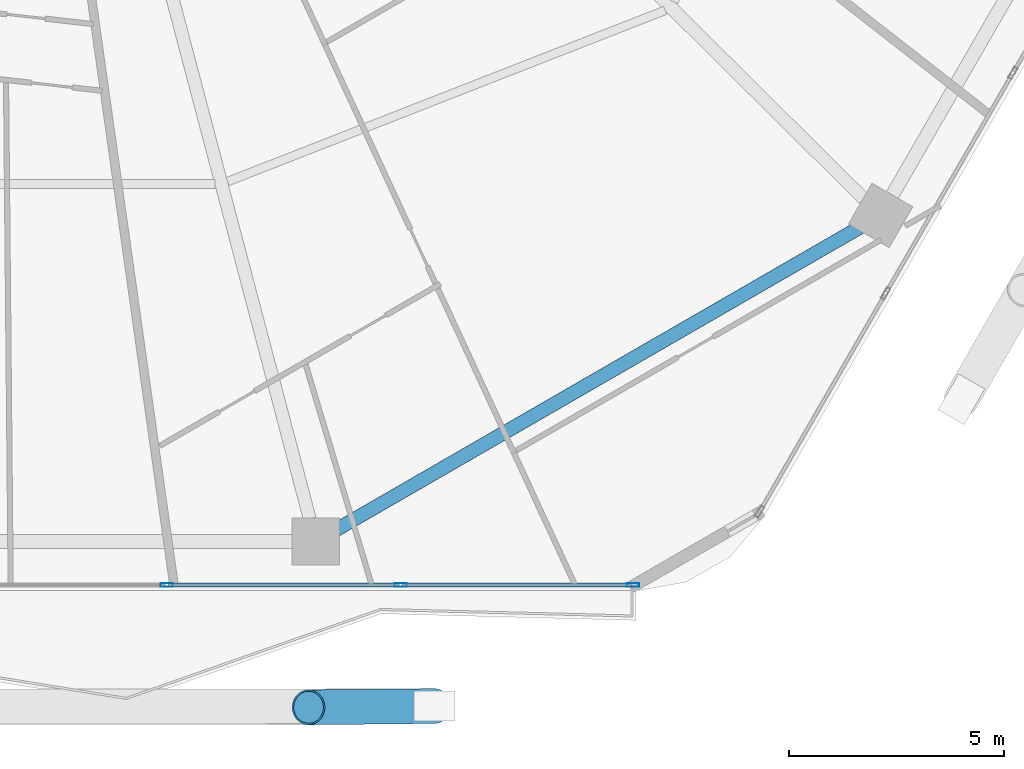
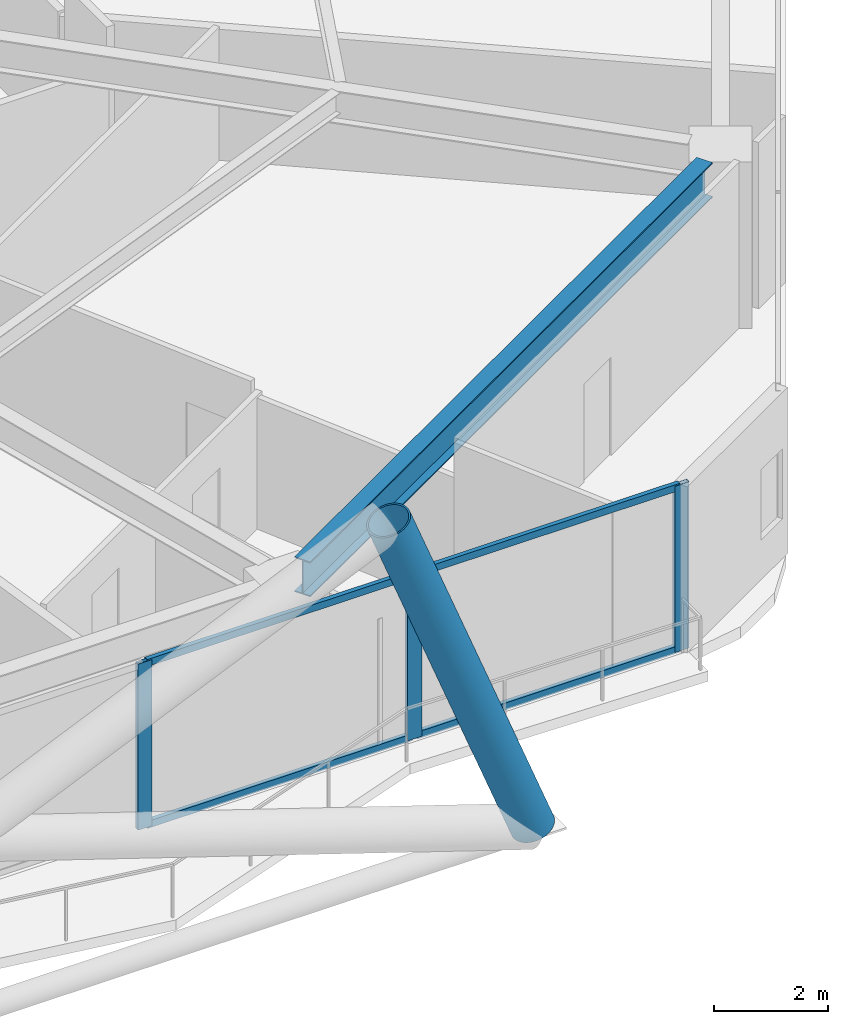
# One storey, part 8 of 35: 8 members, 1 beam, 1 element without a shape of its own.
"""IFC4 building model written with IfcOpenShell, lengths in metres."""

from ifc_helpers import new_model, si_unit, direction, frame, origin, origin_2d, place, context, subcontext, project, spatial, hollow_rectangle, hollow_circle, i_section, extrude, material, material_profile, profile_set, type_object, element, aggregate, save


model = new_model("IFC4")

# Units and contexts
model_context = context("Model", 3, precision=1e-05, world=origin(), true_north=direction((0.0, 1.0)))
body_context = subcontext(model_context, "Body", "Model", "MODEL_VIEW")
ifc_project = project(units=[si_unit("LENGTHUNIT", "METRE"), si_unit("AREAUNIT", "SQUARE_METRE"), si_unit("VOLUMEUNIT", "CUBIC_METRE"), si_unit("PLANEANGLEUNIT", "RADIAN"), si_unit("MASSUNIT", "GRAM", prefix="KILO")], contexts=[model_context])

# Site, building, storey
site_placement = place(None, origin())
site = spatial("IfcSite", under=ifc_project, at=site_placement, CompositionType="ELEMENT")
building_placement = place(site_placement, origin())
building = spatial("IfcBuilding", under=site, at=building_placement, Name="Zuhravey Tower", CompositionType="ELEMENT")
storey_placement = place(building_placement, frame((0.0, 0.0, 92.39990234375)))
storey = spatial("IfcBuildingStorey", under=building, at=storey_placement, Name="L22", CompositionType="ELEMENT", Elevation=92.39990234375)

# Curtain wall, members
ifc_material_1 = material(Name="Thermally broken anodised aluminium", Category="aluminium")
curtain_wall_type = type_object("IfcCurtainWallType", Name="Zone 1-2 Residential Curtain Wall CW3", PredefinedType="NOTDEFINED", material=ifc_material_1)
curtain_wall_placement = place(storey_placement, origin())
curtain_wall = element("IfcCurtainWall", 1, at=curtain_wall_placement, inside=storey, type_object=curtain_wall_type, Name="L22 CW3 CW-L22-F5-1", PredefinedType="NOTDEFINED")
ifc_material_2 = material(Name="Anodised aluminium", Category="aluminium")
ifc_material_profile_1 = material_profile(ifc_material_2, hollow_rectangle(XDim=0.090087890625, YDim=0.284912109375, WallThickness=0.0048828125, at=origin_2d()), Name="ALU-RHS-90x285x5")
ifc_profile_set_1 = profile_set([ifc_material_profile_1], Name="Anodised aluminium")
member_type_1 = type_object("IfcMemberType", Name="Curtain-Wall Mullion 90x180", PredefinedType="MULLION", material=ifc_profile_set_1)
member_1_placement = place(storey_placement, frame((50.75439453125, 3.04150390625, 0.0), z_axis=(0.0, 0.0, 1.0), x_axis=(0.0, -1.0, 0.0)))
member_1 = element("IfcMember", 2, at=member_1_placement, type_object=member_type_1, Name="CW3 mullion 1", PredefinedType="MULLION", context=body_context, shape_type="SweptSolid", body=[
    extrude(hollow_rectangle(XDim=0.090087890625, YDim=0.284912109375, WallThickness=0.0048828125, at=origin_2d()), origin(), (0.0, 0.0, 1.0), 3.550048828125),
])
member_2_placement = place(storey_placement, frame((45.349609375, 3.04150390625, 0.0), z_axis=(0.0, 0.0, 1.0), x_axis=(0.0, -1.0, 0.0)))
member_2 = element("IfcMember", 3, at=member_2_placement, type_object=member_type_1, Name="CW3 mullion 2", PredefinedType="MULLION", context=body_context, shape_type="SweptSolid", body=[
    extrude(hollow_rectangle(XDim=0.090087890625, YDim=0.284912109375, WallThickness=0.0048828125, at=origin_2d()), origin(), (0.0, 0.0, 1.0), 3.550048828125),
])
member_3_placement = place(storey_placement, frame((39.89990234375, 3.04150390625, 0.0), z_axis=(0.0, 0.0, 1.0), x_axis=(0.0, -1.0, 0.0)))
member_3 = element("IfcMember", 4, at=member_3_placement, type_object=member_type_1, Name="CW3 mullion 3", PredefinedType="MULLION", context=body_context, shape_type="SweptSolid", body=[
    extrude(hollow_rectangle(XDim=0.090087890625, YDim=0.284912109375, WallThickness=0.0048828125, at=origin_2d()), origin(), (0.0, 0.0, 1.0), 3.550048828125),
])
ifc_material_profile_2 = material_profile(ifc_material_2, hollow_rectangle(XDim=0.090087890625, YDim=0.14990234375, WallThickness=0.0048828125, at=origin_2d()), Name="ALU-RHS-90x150x5")
ifc_profile_set_2 = profile_set([ifc_material_profile_2], Name="Anodised aluminium")
member_type_2 = type_object("IfcMemberType", Name="Curtain-Wall Transom 90x150", PredefinedType="USERDEFINED", material=ifc_profile_set_2)
member_4_placement = place(storey_placement, frame((50.70947265625, 3.04150390625, 0.045166015625), z_axis=(-1.0, 0.0, 0.0), x_axis=(0.0, -1.0, 0.0)))
member_4 = element("IfcMember", 5, at=member_4_placement, type_object=member_type_2, Name="CW3 transom 1.1", ObjectType="TRANSOM", PredefinedType="USERDEFINED", context=body_context, shape_type="SweptSolid", body=[
    extrude(hollow_rectangle(XDim=0.090087890625, YDim=0.14990234375, WallThickness=0.0048828125, at=origin_2d()), origin(), (0.0, 0.0, 1.0), 5.314697265625),
])
member_5_placement = place(storey_placement, frame((50.70947265625, 3.04150390625, 3.505126953125), z_axis=(-1.0, 0.0, 0.0), x_axis=(0.0, -1.0, 0.0)))
member_5 = element("IfcMember", 6, at=member_5_placement, type_object=member_type_2, Name="CW3 transom 1.2", ObjectType="TRANSOM", PredefinedType="USERDEFINED", context=body_context, shape_type="SweptSolid", body=[
    extrude(hollow_rectangle(XDim=0.090087890625, YDim=0.14990234375, WallThickness=0.0048828125, at=origin_2d()), origin(), (0.0, 0.0, 1.0), 5.314697265625),
])
member_6_placement = place(storey_placement, frame((45.3046875, 3.04150390625, 0.045166015625), z_axis=(-1.0, 0.0, 0.0), x_axis=(0.0, -1.0, 0.0)))
member_6 = element("IfcMember", 7, at=member_6_placement, type_object=member_type_2, Name="CW3 transom 2.1", ObjectType="TRANSOM", PredefinedType="USERDEFINED", context=body_context, shape_type="SweptSolid", body=[
    extrude(hollow_rectangle(XDim=0.090087890625, YDim=0.14990234375, WallThickness=0.0048828125, at=origin_2d()), origin(), (0.0, 0.0, 1.0), 5.35986328125),
])
member_7_placement = place(storey_placement, frame((45.3046875, 3.04150390625, 3.505126953125), z_axis=(-1.0, 0.0, 0.0), x_axis=(0.0, -1.0, 0.0)))
member_7 = element("IfcMember", 8, at=member_7_placement, type_object=member_type_2, Name="CW3 transom 2.2", ObjectType="TRANSOM", PredefinedType="USERDEFINED", context=body_context, shape_type="SweptSolid", body=[
    extrude(hollow_rectangle(XDim=0.090087890625, YDim=0.14990234375, WallThickness=0.0048828125, at=origin_2d()), origin(), (0.0, 0.0, 1.0), 5.35986328125),
])
aggregate(curtain_wall, [member_1, member_2, member_3, member_4, member_5, member_6, member_7])

# Member
ifc_material_3 = material(Name="Steel SM460", Category="steel")
ifc_material_profile_3 = material_profile(ifc_material_3, hollow_circle(Radius=0.406494140625, WallThickness=0.035888671875, at=origin_2d()), Name="CHS-812.8x36")
ifc_profile_set_3 = profile_set([ifc_material_profile_3], Name="Steel SM460")
member_type_3 = type_object("IfcMemberType", Name="Exoskeleton Zone 1 Diagrid CHS813x36", PredefinedType="BRACE", material=ifc_profile_set_3)
member_8_placement = place(storey_placement, frame((46.128173828125, 0.221435546875, -0.44189453125), z_axis=(-0.36108971675, -0.003675980094, 0.932523835421), x_axis=(0.010179712835, -0.999948185381, 0.0)))
element("IfcMember", 9, at=member_8_placement, inside=storey, type_object=member_type_3, Name="L22 Face 5 Diagrid Brace 4", PredefinedType="BRACE", context=body_context, shape_type="SweptSolid", body=[
    extrude(hollow_circle(Radius=0.406494140625, WallThickness=0.035888671875, at=origin_2d()), origin(), (0.0, 0.0, 1.0), 8.1025390625),
])

# Beam
ifc_material_4 = material(Name="Steel SM355", Category="steel")
ifc_material_profile_4 = material_profile(ifc_material_4, i_section(OverallWidth=0.320068359375, OverallDepth=0.75, WebThickness=0.013916015625, FlangeThickness=0.02490234375, at=origin_2d()), Name="H-750x320x14x25")
ifc_profile_set_4 = profile_set([ifc_material_profile_4], Name="Steel SM355")
beam_type = type_object("IfcBeamType", Name="Perimeter Ring Beam H750x320", PredefinedType="BEAM", material=ifc_profile_set_4)
beam_placement = place(storey_placement, frame((43.848876953125, 4.327880859375, 3.175048828125), z_axis=(0.866017786538, 0.500013193225, 0.0), x_axis=(-0.500013193225, 0.866017786538, 0.0)))
element("IfcBeam", 10, at=beam_placement, inside=storey, type_object=beam_type, Name="L22 PB1 BM-L22-PB-10", PredefinedType="BEAM", context=body_context, shape_type="SweptSolid", body=[
    extrude(i_section(OverallWidth=0.320068359375, OverallDepth=0.75, WebThickness=0.013916015625, FlangeThickness=0.02490234375, at=origin_2d()), origin(), (0.0, 0.0, 1.0), 14.0771484375),
])

save(model, "model.ifc")
